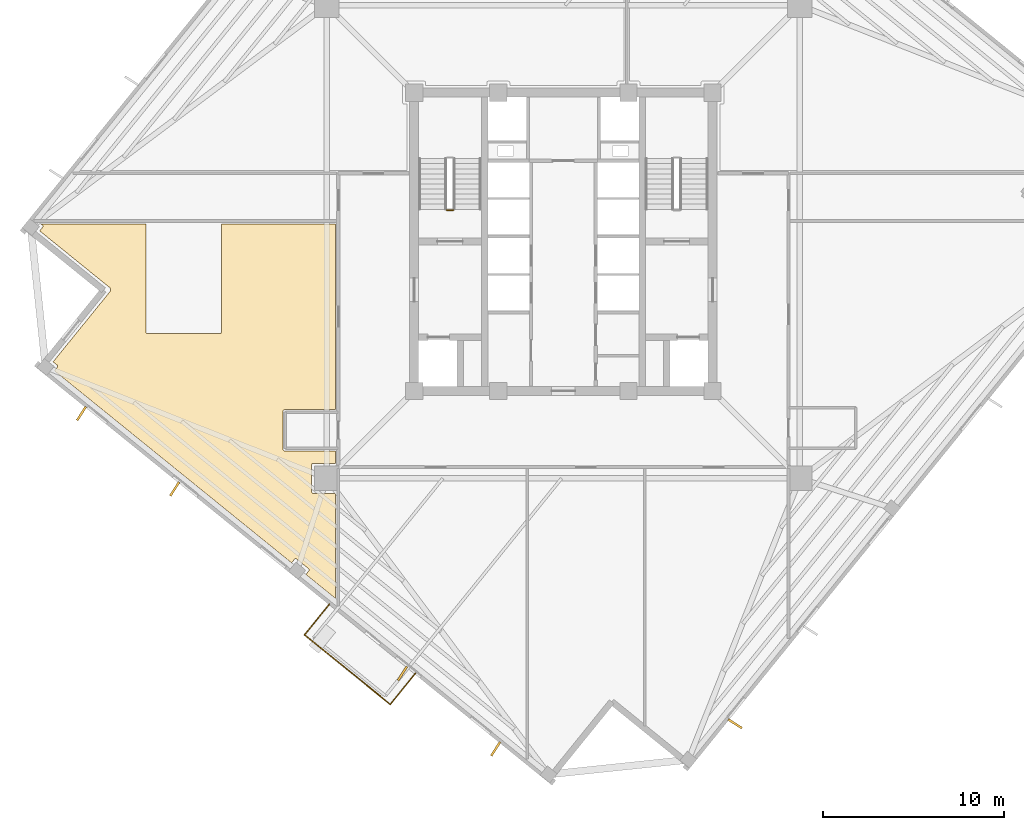
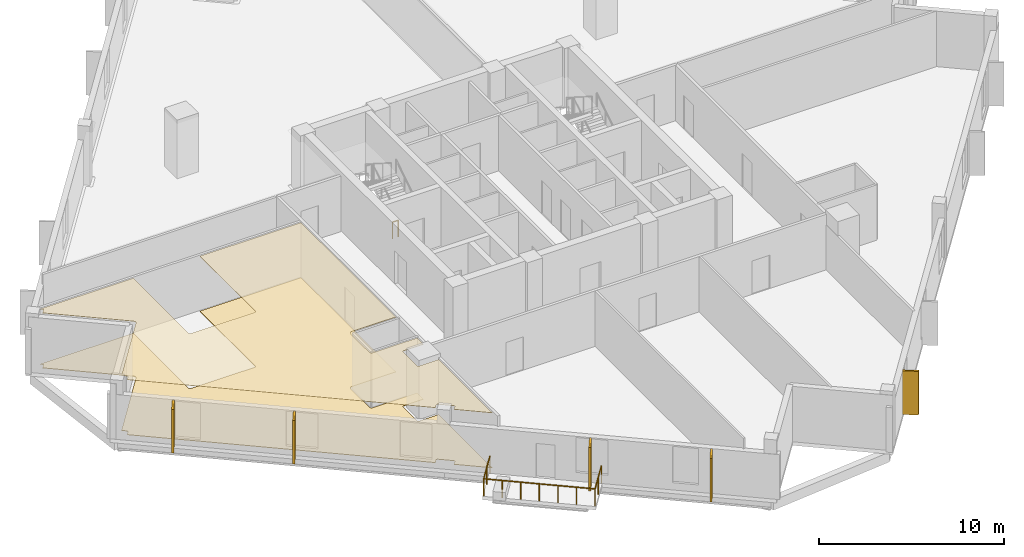
# One storey, part 7 of 10: 7 coverings, 4 railings.
"""IFC4 building model written with IfcOpenShell, lengths in metres."""

from ifc_helpers import new_model, si_unit, direction, frame, origin, origin_2d, place, context, subcontext, project, spatial, polyline, rectangle, circle, outline, extrude, source, transform, mapped, material, layer, layer_set, type_object, element, save


model = new_model("IFC4")

# Units and contexts
model_context = context("Model", 3, precision=1e-05, world=origin(), true_north=direction((0.0, 1.0)))
body_context = subcontext(model_context, "Body", "Model", "MODEL_VIEW")
ifc_project = project(units=[si_unit("LENGTHUNIT", "METRE"), si_unit("AREAUNIT", "SQUARE_METRE"), si_unit("VOLUMEUNIT", "CUBIC_METRE"), si_unit("PLANEANGLEUNIT", "RADIAN"), si_unit("MASSUNIT", "GRAM", prefix="KILO"), si_unit("THERMODYNAMICTEMPERATUREUNIT", "KELVIN")], contexts=[model_context])

# Site, building, storey
site_placement = place(None, origin())
site = spatial("IfcSite", under=ifc_project, at=site_placement, CompositionType="ELEMENT")
building_placement = place(site_placement, origin())
building = spatial("IfcBuilding", under=site, at=building_placement, Name="Kosmvard Interchange Tower", CompositionType="ELEMENT")
storey_placement = place(building_placement, frame((0.0, 0.0, 229.0)))
storey = spatial("IfcBuildingStorey", under=building, at=storey_placement, Name="L55", CompositionType="ELEMENT", Elevation=229.0)

# Coverings
ifc_material_1 = material(Name="Acoustic gypsum ceiling tile")
ifc_layer_1 = layer(ifc_material_1, 0.02490234375, Name="Acoustic gypsum ceiling tile")
ifc_layer_set_1 = layer_set([ifc_layer_1], Name="Acoustic gypsum ceiling tile")
covering_type_1 = type_object("IfcCoveringType", Name="Acoustic Perforated Suspended Ceiling 25", PredefinedType="CEILING", material=ifc_layer_set_1)
covering_1_placement = place(storey_placement, frame((0.0, 0.0, 3.635009765625)))
element("IfcCovering", 1, at=covering_1_placement, inside=storey, type_object=covering_type_1, Name="L55 Acoustic Ceiling L55-OPSW", PredefinedType="CEILING", context=body_context, shape_type="SweptSolid", body=[
    extrude(outline(polyline([(-15.388427734375, -11.56689453125), (-15.39501953125, -11.56591796875), (-15.402587890625, -11.564208984375), (-15.4091796875, -11.562744140625), (-15.416748046875, -11.560302734375), (-15.423095703125, -11.55810546875), (-15.43017578125, -11.55517578125), (-15.436279296875, -11.55224609375), (-15.443115234375, -11.548583984375), (-15.448974609375, -11.545166015625), (-15.45556640625, -11.540771484375), (-15.4609375, -11.536865234375), (-15.466796875, -11.53173828125), (-15.471923828125, -11.52734375), (-15.477294921875, -11.521728515625), (-15.48193359375, -11.516845703125), (-15.48681640625, -11.5107421875), (-15.49072265625, -11.50537109375), (-15.4951171875, -11.498779296875), (-15.49853515625, -11.4931640625), (-15.502197265625, -11.486328125), (-15.505126953125, -11.480224609375), (-15.508056640625, -11.472900390625), (-15.510498046875, -11.466796875), (-15.5126953125, -11.459228515625), (-15.514404296875, -11.45263671875), (-15.515869140625, -11.445068359375), (-15.516845703125, -11.4384765625), (-15.517578125, -11.4306640625), (-15.517822265625, -11.423828125), (-15.51806640625, -11.419921875), (-15.51806640625, -9.419921875), (-15.517822265625, -9.416015625), (-15.517578125, -9.409423828125), (-15.516845703125, -9.401611328125), (-15.515869140625, -9.39501953125), (-15.514404296875, -9.38720703125), (-15.5126953125, -9.380859375), (-15.510498046875, -9.373291015625), (-15.508056640625, -9.366943359375), (-15.505126953125, -9.35986328125), (-15.502197265625, -9.353759765625), (-15.49853515625, -9.346923828125), (-15.4951171875, -9.341064453125), (-15.49072265625, -9.33447265625), (-15.48681640625, -9.3291015625), (-15.48193359375, -9.322998046875), (-15.477294921875, -9.318115234375), (-15.471923828125, -9.312744140625), (-15.466796875, -9.30810546875), (-15.4609375, -9.30322265625), (-15.45556640625, -9.29931640625), (-15.448974609375, -9.294921875), (-15.443115234375, -9.29150390625), (-15.436279296875, -9.28759765625), (-15.43017578125, -9.284912109375), (-15.423095703125, -9.281982421875), (-15.416748046875, -9.279541015625), (-15.4091796875, -9.27734375), (-15.402587890625, -9.275634765625), (-15.39501953125, -9.274169921875), (-15.388427734375, -9.273193359375), (-15.380615234375, -9.2724609375), (-15.3740234375, -9.272216796875), (-15.3701171875, -9.27197265625), (-12.60498046875, -9.27197265625), (-12.60498046875, 0.989990234375), (-18.919921875, 0.989990234375), (-18.919921875, -5.0), (-18.92041015625, -5.0078125), (-18.921630859375, -5.015625), (-18.92333984375, -5.023193359375), (-18.926025390625, -5.030517578125), (-18.929443359375, -5.03759765625), (-18.93359375, -5.04443359375), (-18.938232421875, -5.05078125), (-18.943359375, -5.056640625), (-18.94921875, -5.061767578125), (-18.95556640625, -5.06640625), (-18.96240234375, -5.070556640625), (-18.969482421875, -5.073974609375), (-18.976806640625, -5.07666015625), (-18.984375, -5.078369140625), (-18.9921875, -5.07958984375), (-19.0, -5.080078125), (-23.0, -5.080078125), (-23.0078125, -5.07958984375), (-23.015625, -5.078369140625), (-23.023193359375, -5.07666015625), (-23.030517578125, -5.073974609375), (-23.03759765625, -5.070556640625), (-23.04443359375, -5.06640625), (-23.05078125, -5.061767578125), (-23.056640625, -5.056640625), (-23.061767578125, -5.05078125), (-23.06640625, -5.04443359375), (-23.070556640625, -5.03759765625), (-23.073974609375, -5.030517578125), (-23.07666015625, -5.023193359375), (-23.078369140625, -5.015625), (-23.07958984375, -5.0078125), (-23.080078125, -5.0), (-23.080078125, 0.989990234375), (-28.895263671875, 0.989990234375), (-28.810546875, 0.92138671875), (-28.804931640625, 0.916259765625), (-28.799560546875, 0.910400390625), (-28.794677734375, 0.904296875), (-28.790771484375, 0.8974609375), (-28.787353515625, 0.890380859375), (-28.78466796875, 0.883056640625), (-28.78271484375, 0.87548828125), (-28.781494140625, 0.86767578125), (-28.781005859375, 0.85986328125), (-28.78125, 0.85205078125), (-28.782470703125, 0.84423828125), (-28.7841796875, 0.836669921875), (-28.786865234375, 0.8291015625), (-28.790283203125, 0.822021484375), (-28.794189453125, 0.8154296875), (-28.798828125, 0.80908203125), (-28.96240234375, 0.60693359375), (-25.09228515625, -2.527099609375), (-25.089111328125, -2.52978515625), (-25.083740234375, -2.53466796875), (-25.078125, -2.5400390625), (-25.0732421875, -2.54541015625), (-25.068115234375, -2.551513671875), (-25.063720703125, -2.557373046875), (-25.059326171875, -2.56396484375), (-25.0556640625, -2.570068359375), (-25.0517578125, -2.5771484375), (-25.048583984375, -2.583740234375), (-25.045654296875, -2.591064453125), (-25.04296875, -2.597900390625), (-25.040771484375, -2.605224609375), (-25.038818359375, -2.6123046875), (-25.037353515625, -2.6201171875), (-25.0361328125, -2.62744140625), (-25.035400390625, -2.63525390625), (-25.034912109375, -2.642578125), (-25.034912109375, -2.650634765625), (-25.03515625, -2.657958984375), (-25.035888671875, -2.66552734375), (-25.036865234375, -2.6728515625), (-25.038330078125, -2.6806640625), (-25.040283203125, -2.687744140625), (-25.04248046875, -2.6953125), (-25.044921875, -2.7021484375), (-25.0478515625, -2.70947265625), (-25.051025390625, -2.71630859375), (-25.054443359375, -2.72314453125), (-25.058349609375, -2.7294921875), (-25.0625, -2.736083984375), (-25.06689453125, -2.741943359375), (-25.0693359375, -2.7451171875), (-28.218994140625, -6.634765625), (-27.99755859375, -6.81396484375), (-27.99169921875, -6.8193359375), (-27.986572265625, -6.8251953125), (-27.981689453125, -6.831298828125), (-27.9775390625, -6.838134765625), (-27.974365234375, -6.84521484375), (-27.9716796875, -6.8525390625), (-27.969482421875, -6.860107421875), (-27.968505859375, -6.867919921875), (-27.968017578125, -6.875732421875), (-27.96826171875, -6.883544921875), (-27.969482421875, -6.891357421875), (-27.97119140625, -6.89892578125), (-27.973876953125, -6.90625), (-27.97705078125, -6.91357421875), (-27.981201171875, -6.920166015625), (-27.98583984375, -6.926513671875), (-28.1494140625, -7.128662109375), (-15.03125, -17.75146484375), (-14.86767578125, -17.549560546875), (-14.8623046875, -17.543701171875), (-14.8564453125, -17.538330078125), (-14.850341796875, -17.53369140625), (-14.843505859375, -17.529541015625), (-14.83642578125, -17.526123046875), (-14.8291015625, -17.5234375), (-14.821533203125, -17.521484375), (-14.813720703125, -17.520263671875), (-14.805908203125, -17.519775390625), (-14.798095703125, -17.520263671875), (-14.790283203125, -17.521240234375), (-14.78271484375, -17.523193359375), (-14.775146484375, -17.525634765625), (-14.76806640625, -17.529052734375), (-14.761474609375, -17.532958984375), (-14.755126953125, -17.53759765625), (-14.086669921875, -18.078857421875), (-14.080810546875, -18.084228515625), (-14.075439453125, -18.08984375), (-14.07080078125, -18.09619140625), (-14.066650390625, -18.10302734375), (-14.063232421875, -18.10986328125), (-14.060546875, -18.117431640625), (-14.05859375, -18.125), (-14.057373046875, -18.1328125), (-14.05712890625, -18.140625), (-14.057373046875, -18.1484375), (-14.05859375, -18.15625), (-14.060302734375, -18.163818359375), (-14.06298828125, -18.171142578125), (-14.066162109375, -18.17822265625), (-14.0703125, -18.18505859375), (-14.074951171875, -18.19140625), (-14.238525390625, -18.3935546875), (-12.610107421875, -19.712158203125), (-12.610107421875, -13.916015625), (-13.8359375, -13.916015625), (-13.84375, -13.91552734375), (-13.8515625, -13.91455078125), (-13.859130859375, -13.91259765625), (-13.86669921875, -13.909912109375), (-13.873779296875, -13.906494140625), (-13.88037109375, -13.902587890625), (-13.88671875, -13.89794921875), (-13.892578125, -13.892578125), (-13.89794921875, -13.88671875), (-13.902587890625, -13.88037109375), (-13.906494140625, -13.873779296875), (-13.909912109375, -13.86669921875), (-13.91259765625, -13.859130859375), (-13.91455078125, -13.8515625), (-13.91552734375, -13.84375), (-13.916015625, -13.8359375), (-13.916015625, -12.325927734375), (-13.91552734375, -12.318115234375), (-13.91455078125, -12.310302734375), (-13.91259765625, -12.302734375), (-13.909912109375, -12.29541015625), (-13.906494140625, -12.288330078125), (-13.902587890625, -12.281494140625), (-13.89794921875, -12.275146484375), (-13.892578125, -12.26953125), (-13.88671875, -12.26416015625), (-13.88037109375, -12.259521484375), (-13.873779296875, -12.25537109375), (-13.86669921875, -12.252197265625), (-13.859130859375, -12.24951171875), (-13.8515625, -12.24755859375), (-13.84375, -12.246337890625), (-13.8359375, -12.24609375), (-12.610107421875, -12.24609375), (-12.610107421875, -12.10009765625), (-12.60986328125, -12.09619140625), (-12.609619140625, -12.088623046875), (-12.60888671875, -12.080810546875), (-12.607666015625, -12.07373046875), (-12.606201171875, -12.06591796875), (-12.60498046875, -12.061279296875), (-12.60498046875, -11.568115234375), (-15.3701171875, -11.568115234375), (-15.3740234375, -11.56787109375), (-15.380615234375, -11.567626953125), (-15.388427734375, -11.56689453125)])), origin(), (0.0, 0.0, 1.0), 0.02490234375),
])
ifc_material_2 = material(Name="Polished terrazzo flooring")
ifc_layer_2 = layer(ifc_material_2, 0.030029296875, Name="Polished terrazzo flooring")
ifc_layer_set_2 = layer_set([ifc_layer_2], Name="Polished terrazzo flooring")
covering_type_2 = type_object("IfcCoveringType", Name="Heavy-Duty Terrazzo & Porcelain Flooring 30", PredefinedType="FLOORING", material=ifc_layer_set_2)
covering_2_placement = place(storey_placement, origin())
element("IfcCovering", 2, at=covering_2_placement, inside=storey, type_object=covering_type_2, Name="L55 Floor Finish L55-OPSW", PredefinedType="FLOORING", context=body_context, shape_type="SweptSolid", body=[
    extrude(outline(polyline([(-15.388427734375, -11.56689453125), (-15.39501953125, -11.56591796875), (-15.402587890625, -11.564208984375), (-15.4091796875, -11.562744140625), (-15.416748046875, -11.560302734375), (-15.423095703125, -11.55810546875), (-15.43017578125, -11.55517578125), (-15.436279296875, -11.55224609375), (-15.443115234375, -11.548583984375), (-15.448974609375, -11.545166015625), (-15.45556640625, -11.540771484375), (-15.4609375, -11.536865234375), (-15.466796875, -11.53173828125), (-15.471923828125, -11.52734375), (-15.477294921875, -11.521728515625), (-15.48193359375, -11.516845703125), (-15.48681640625, -11.5107421875), (-15.49072265625, -11.50537109375), (-15.4951171875, -11.498779296875), (-15.49853515625, -11.4931640625), (-15.502197265625, -11.486328125), (-15.505126953125, -11.480224609375), (-15.508056640625, -11.472900390625), (-15.510498046875, -11.466796875), (-15.5126953125, -11.459228515625), (-15.514404296875, -11.45263671875), (-15.515869140625, -11.445068359375), (-15.516845703125, -11.4384765625), (-15.517578125, -11.4306640625), (-15.517822265625, -11.423828125), (-15.51806640625, -11.419921875), (-15.51806640625, -9.419921875), (-15.517822265625, -9.416015625), (-15.517578125, -9.409423828125), (-15.516845703125, -9.401611328125), (-15.515869140625, -9.39501953125), (-15.514404296875, -9.38720703125), (-15.5126953125, -9.380859375), (-15.510498046875, -9.373291015625), (-15.508056640625, -9.366943359375), (-15.505126953125, -9.35986328125), (-15.502197265625, -9.353759765625), (-15.49853515625, -9.346923828125), (-15.4951171875, -9.341064453125), (-15.49072265625, -9.33447265625), (-15.48681640625, -9.3291015625), (-15.48193359375, -9.322998046875), (-15.477294921875, -9.318115234375), (-15.471923828125, -9.312744140625), (-15.466796875, -9.30810546875), (-15.4609375, -9.30322265625), (-15.45556640625, -9.29931640625), (-15.448974609375, -9.294921875), (-15.443115234375, -9.29150390625), (-15.436279296875, -9.28759765625), (-15.43017578125, -9.284912109375), (-15.423095703125, -9.281982421875), (-15.416748046875, -9.279541015625), (-15.4091796875, -9.27734375), (-15.402587890625, -9.275634765625), (-15.39501953125, -9.274169921875), (-15.388427734375, -9.273193359375), (-15.380615234375, -9.2724609375), (-15.3740234375, -9.272216796875), (-15.3701171875, -9.27197265625), (-12.60498046875, -9.27197265625), (-12.60498046875, 0.989990234375), (-18.919921875, 0.989990234375), (-18.919921875, -5.0), (-18.92041015625, -5.0078125), (-18.921630859375, -5.015625), (-18.92333984375, -5.023193359375), (-18.926025390625, -5.030517578125), (-18.929443359375, -5.03759765625), (-18.93359375, -5.04443359375), (-18.938232421875, -5.05078125), (-18.943359375, -5.056640625), (-18.94921875, -5.061767578125), (-18.95556640625, -5.06640625), (-18.96240234375, -5.070556640625), (-18.969482421875, -5.073974609375), (-18.976806640625, -5.07666015625), (-18.984375, -5.078369140625), (-18.9921875, -5.07958984375), (-19.0, -5.080078125), (-23.0, -5.080078125), (-23.0078125, -5.07958984375), (-23.015625, -5.078369140625), (-23.023193359375, -5.07666015625), (-23.030517578125, -5.073974609375), (-23.03759765625, -5.070556640625), (-23.04443359375, -5.06640625), (-23.05078125, -5.061767578125), (-23.056640625, -5.056640625), (-23.061767578125, -5.05078125), (-23.06640625, -5.04443359375), (-23.070556640625, -5.03759765625), (-23.073974609375, -5.030517578125), (-23.07666015625, -5.023193359375), (-23.078369140625, -5.015625), (-23.07958984375, -5.0078125), (-23.080078125, -5.0), (-23.080078125, 0.989990234375), (-28.895263671875, 0.989990234375), (-28.810546875, 0.92138671875), (-28.804931640625, 0.916259765625), (-28.799560546875, 0.910400390625), (-28.794677734375, 0.904296875), (-28.790771484375, 0.8974609375), (-28.787353515625, 0.890380859375), (-28.78466796875, 0.883056640625), (-28.78271484375, 0.87548828125), (-28.781494140625, 0.86767578125), (-28.781005859375, 0.85986328125), (-28.78125, 0.85205078125), (-28.782470703125, 0.84423828125), (-28.7841796875, 0.836669921875), (-28.786865234375, 0.8291015625), (-28.790283203125, 0.822021484375), (-28.794189453125, 0.8154296875), (-28.798828125, 0.80908203125), (-28.96240234375, 0.60693359375), (-25.09228515625, -2.527099609375), (-25.089111328125, -2.52978515625), (-25.083740234375, -2.53466796875), (-25.078125, -2.5400390625), (-25.0732421875, -2.54541015625), (-25.068115234375, -2.551513671875), (-25.063720703125, -2.557373046875), (-25.059326171875, -2.56396484375), (-25.0556640625, -2.570068359375), (-25.0517578125, -2.5771484375), (-25.048583984375, -2.583740234375), (-25.045654296875, -2.591064453125), (-25.04296875, -2.597900390625), (-25.040771484375, -2.605224609375), (-25.038818359375, -2.6123046875), (-25.037353515625, -2.6201171875), (-25.0361328125, -2.62744140625), (-25.035400390625, -2.63525390625), (-25.034912109375, -2.642578125), (-25.034912109375, -2.650634765625), (-25.03515625, -2.657958984375), (-25.035888671875, -2.66552734375), (-25.036865234375, -2.6728515625), (-25.038330078125, -2.6806640625), (-25.040283203125, -2.687744140625), (-25.04248046875, -2.6953125), (-25.044921875, -2.7021484375), (-25.0478515625, -2.70947265625), (-25.051025390625, -2.71630859375), (-25.054443359375, -2.72314453125), (-25.058349609375, -2.7294921875), (-25.0625, -2.736083984375), (-25.06689453125, -2.741943359375), (-25.0693359375, -2.7451171875), (-28.218994140625, -6.634765625), (-27.99755859375, -6.81396484375), (-27.99169921875, -6.8193359375), (-27.986572265625, -6.8251953125), (-27.981689453125, -6.831298828125), (-27.9775390625, -6.838134765625), (-27.974365234375, -6.84521484375), (-27.9716796875, -6.8525390625), (-27.969482421875, -6.860107421875), (-27.968505859375, -6.867919921875), (-27.968017578125, -6.875732421875), (-27.96826171875, -6.883544921875), (-27.969482421875, -6.891357421875), (-27.97119140625, -6.89892578125), (-27.973876953125, -6.90625), (-27.97705078125, -6.91357421875), (-27.981201171875, -6.920166015625), (-27.98583984375, -6.926513671875), (-28.1494140625, -7.128662109375), (-15.03125, -17.75146484375), (-14.86767578125, -17.549560546875), (-14.8623046875, -17.543701171875), (-14.8564453125, -17.538330078125), (-14.850341796875, -17.53369140625), (-14.843505859375, -17.529541015625), (-14.83642578125, -17.526123046875), (-14.8291015625, -17.5234375), (-14.821533203125, -17.521484375), (-14.813720703125, -17.520263671875), (-14.805908203125, -17.519775390625), (-14.798095703125, -17.520263671875), (-14.790283203125, -17.521240234375), (-14.78271484375, -17.523193359375), (-14.775146484375, -17.525634765625), (-14.76806640625, -17.529052734375), (-14.761474609375, -17.532958984375), (-14.755126953125, -17.53759765625), (-14.086669921875, -18.078857421875), (-14.080810546875, -18.084228515625), (-14.075439453125, -18.08984375), (-14.07080078125, -18.09619140625), (-14.066650390625, -18.10302734375), (-14.063232421875, -18.10986328125), (-14.060546875, -18.117431640625), (-14.05859375, -18.125), (-14.057373046875, -18.1328125), (-14.05712890625, -18.140625), (-14.057373046875, -18.1484375), (-14.05859375, -18.15625), (-14.060302734375, -18.163818359375), (-14.06298828125, -18.171142578125), (-14.066162109375, -18.17822265625), (-14.0703125, -18.18505859375), (-14.074951171875, -18.19140625), (-14.238525390625, -18.3935546875), (-12.610107421875, -19.712158203125), (-12.610107421875, -13.916015625), (-13.8359375, -13.916015625), (-13.84375, -13.91552734375), (-13.8515625, -13.91455078125), (-13.859130859375, -13.91259765625), (-13.86669921875, -13.909912109375), (-13.873779296875, -13.906494140625), (-13.88037109375, -13.902587890625), (-13.88671875, -13.89794921875), (-13.892578125, -13.892578125), (-13.89794921875, -13.88671875), (-13.902587890625, -13.88037109375), (-13.906494140625, -13.873779296875), (-13.909912109375, -13.86669921875), (-13.91259765625, -13.859130859375), (-13.91455078125, -13.8515625), (-13.91552734375, -13.84375), (-13.916015625, -13.8359375), (-13.916015625, -12.325927734375), (-13.91552734375, -12.318115234375), (-13.91455078125, -12.310302734375), (-13.91259765625, -12.302734375), (-13.909912109375, -12.29541015625), (-13.906494140625, -12.288330078125), (-13.902587890625, -12.281494140625), (-13.89794921875, -12.275146484375), (-13.892578125, -12.26953125), (-13.88671875, -12.26416015625), (-13.88037109375, -12.259521484375), (-13.873779296875, -12.25537109375), (-13.86669921875, -12.252197265625), (-13.859130859375, -12.24951171875), (-13.8515625, -12.24755859375), (-13.84375, -12.246337890625), (-13.8359375, -12.24609375), (-12.610107421875, -12.24609375), (-12.610107421875, -12.10009765625), (-12.60986328125, -12.09619140625), (-12.609619140625, -12.088623046875), (-12.60888671875, -12.080810546875), (-12.607666015625, -12.07373046875), (-12.606201171875, -12.06591796875), (-12.60498046875, -12.061279296875), (-12.60498046875, -11.568115234375), (-15.3701171875, -11.568115234375), (-15.3740234375, -11.56787109375), (-15.380615234375, -11.567626953125), (-15.388427734375, -11.56689453125)])), origin(), (0.0, 0.0, 1.0), 0.030029296875),
])
ifc_material_3 = material(Name="Architectural anodised aluminium", Category="aluminium")
ifc_layer_3 = layer(ifc_material_3, 0.1201171875, Name="Architectural anodised aluminium")
ifc_layer_set_3 = layer_set([ifc_layer_3], Name="Architectural anodised aluminium")
covering_type_3 = type_object("IfcCoveringType", Name="Rotating Vertical Sun-Breaker Fin 900x120 Aluminium", PredefinedType="CLADDING", material=ifc_layer_set_3)
shared_shape_1 = source(origin(), body_context, "Body", "SweptSolid", [
    extrude(rectangle(XDim=0.89990234375, YDim=0.1201171875, at=origin_2d()), origin(), (0.0, 0.0, 1.0), 2.8798828125),
])
for number, where, z_axis, x_axis, name in (
    (3, (9.494384765625, -26.650146484375, 0.0400390625), (0.0, 0.0, 1.0), (0.843766346142, -0.536710679153, 0.0), "L55 Rotating Vertical Sun-Breaker Fin 01"),
    (4, (-26.650146484375, -9.494384765625, 0.0400390625), (0.0, 0.0, 1.0), (-0.536710679153, -0.843766346142, 0.0), "L55 Rotating Vertical Sun-Breaker Fin 13"),
    (5, (-21.49658203125, -13.66748046875, 0.0400390625), (0.0, 0.0, 1.0), (-0.536710679153, -0.843766346142, 0.0), "L55 Rotating Vertical Sun-Breaker Fin 14"),
    (6, (-8.8994140625, -23.86865234375, 0.0400390625), (0.0, 0.0, 1.0), (-0.536710679153, -0.843766346142, 0.0), "L55 Rotating Vertical Sun-Breaker Fin 15"),
    (7, (-3.74609375, -28.041748046875, 0.0400390625), (0.0, 0.0, 1.0), (-0.536710679153, -0.843766346142, 0.0), "L55 Rotating Vertical Sun-Breaker Fin 16"),
):
    element("IfcCovering", number, at=place(storey_placement, frame(where, z_axis=z_axis, x_axis=x_axis)), inside=storey, type_object=covering_type_3, Name=name, PredefinedType="CLADDING", context=body_context, shape_type="MappedRepresentation", body=[
        mapped(shared_shape_1, transform((0.0, 0.0, 0.0), scale=1.0)),
    ])

# Railings
ifc_material_4 = material(Name="Steel S355", Category="steel")
railing_type_1 = type_object("IfcRailingType", Name="Observation & Balcony Glass-Infill Balustrade 1150", PredefinedType="BALUSTRADE", material=ifc_material_4)
shared_shape_2 = source(origin(), body_context, "Body", "SweptSolid", [
    extrude(circle(Radius=0.02392578125, at=origin_2d()), frame((0.0, 0.0, 1.1259765625), z_axis=(0.629325914736, 0.777141488432, 0.0), x_axis=(-0.777141488432, 0.629325914736, 0.0)), (0.0, 0.0, 1.0), 2.199951171875),
    extrude(circle(Radius=0.02099609375, at=origin_2d()), origin(), (0.0, 0.0, 1.0), 1.101806640625),
    extrude(circle(Radius=0.02099609375, at=origin_2d()), frame((0.6923828125, 0.85498046875, 0.0)), (0.0, 0.0, 1.0), 1.101806640625),
    extrude(circle(Radius=0.02099609375, at=origin_2d()), frame((1.384521484375, 1.709716796875, 0.0)), (0.0, 0.0, 1.0), 1.101806640625),
])
railing_1_placement = place(storey_placement, frame((-9.5771484375, -25.57177734375, 0.0)))
element("IfcRailing", 8, at=railing_1_placement, inside=storey, type_object=railing_type_1, Name="L55 Outdoor Terrace Guard BAL-L55-W-C", PredefinedType="BALUSTRADE", context=body_context, shape_type="MappedRepresentation", body=[
    mapped(shared_shape_2, transform((0.0, 0.0, 0.0), scale=1.0)),
])
shared_shape_3 = source(origin(), body_context, "Body", "SweptSolid", [
    extrude(circle(Radius=0.02392578125, at=origin_2d()), frame((0.0, 0.0, 1.1259765625), z_axis=(-0.629325914736, -0.777141488432, 0.0), x_axis=(0.777141488432, -0.629325914736, 0.0)), (0.0, 0.0, 1.0), 2.199951171875),
    extrude(circle(Radius=0.02099609375, at=origin_2d()), origin(), (0.0, 0.0, 1.0), 1.101806640625),
    extrude(circle(Radius=0.02099609375, at=origin_2d()), frame((-0.6923828125, -0.85498046875, 0.0)), (0.0, 0.0, 1.0), 1.101806640625),
    extrude(circle(Radius=0.02099609375, at=origin_2d()), frame((-1.384521484375, -1.709716796875, 0.0)), (0.0, 0.0, 1.0), 1.101806640625),
])
railing_2_placement = place(storey_placement, frame((-12.93310546875, -20.023193359375, 0.0)))
element("IfcRailing", 9, at=railing_2_placement, inside=storey, type_object=railing_type_1, Name="L55 Outdoor Terrace Guard BAL-L55-W-A", PredefinedType="BALUSTRADE", context=body_context, shape_type="MappedRepresentation", body=[
    mapped(shared_shape_3, transform((0.0, 0.0, 0.0), scale=1.0)),
])
shared_shape_4 = source(origin(), body_context, "Body", "SweptSolid", [
    extrude(circle(Radius=0.02392578125, at=origin_2d()), frame((0.0, 0.0, 1.1259765625), z_axis=(0.777137673017, -0.629330626282, 0.0), x_axis=(0.629330626282, 0.777137673017, 0.0)), (0.0, 0.0, 1.0), 6.099853515625),
    extrude(circle(Radius=0.02099609375, at=origin_2d()), origin(), (0.0, 0.0, 1.0), 1.101806640625),
    extrude(circle(Radius=0.02099609375, at=origin_2d()), frame((0.7900390625, -0.639892578125, 0.0)), (0.0, 0.0, 1.0), 1.101806640625),
    extrude(circle(Radius=0.02099609375, at=origin_2d()), frame((1.580078125, -1.279541015625, 0.0)), (0.0, 0.0, 1.0), 1.101806640625),
    extrude(circle(Radius=0.02099609375, at=origin_2d()), frame((2.3701171875, -1.91943359375, 0.0)), (0.0, 0.0, 1.0), 1.101806640625),
    extrude(circle(Radius=0.02099609375, at=origin_2d()), frame((3.160400390625, -2.559326171875, 0.0)), (0.0, 0.0, 1.0), 1.101806640625),
    extrude(circle(Radius=0.02099609375, at=origin_2d()), frame((3.950439453125, -3.198974609375, 0.0)), (0.0, 0.0, 1.0), 1.101806640625),
    extrude(circle(Radius=0.02099609375, at=origin_2d()), frame((4.740478515625, -3.8388671875, 0.0)), (0.0, 0.0, 1.0), 1.101806640625),
])
railing_3_placement = place(storey_placement, frame((-14.317626953125, -21.73291015625, 0.0)))
element("IfcRailing", 10, at=railing_3_placement, inside=storey, type_object=railing_type_1, Name="L55 Outdoor Terrace Guard BAL-L55-W-B", PredefinedType="BALUSTRADE", context=body_context, shape_type="MappedRepresentation", body=[
    mapped(shared_shape_4, transform((0.0, 0.0, 0.0), scale=1.0)),
])
railing_type_2 = type_object("IfcRailingType", Name="Stair & Terrace Safety Guardrail 1100 Steel", PredefinedType="GUARDRAIL", material=ifc_material_4)
shared_shape_5 = source(origin(), body_context, "Body", "SweptSolid", [
    extrude(circle(Radius=0.02392578125, at=origin_2d()), frame((0.0, 0.0, 1.076171875), z_axis=(-1.0, 0.0, 0.0), x_axis=(0.0, -1.0, 0.0)), (0.0, 0.0, 1.0), 0.35986328125),
    extrude(circle(Radius=0.02099609375, at=origin_2d()), origin(), (0.0, 0.0, 1.0), 1.052001953125),
    extrude(circle(Radius=0.02099609375, at=origin_2d()), frame((-0.35986328125, 0.0, 0.0)), (0.0, 0.0, 1.0), 1.052001953125),
])
railing_4_placement = place(storey_placement, frame((-6.090087890625, 1.75, 0.0)))
element("IfcRailing", 11, at=railing_4_placement, inside=storey, type_object=railing_type_2, Name="L55 ST-1 stair guard 4", PredefinedType="GUARDRAIL", context=body_context, shape_type="MappedRepresentation", body=[
    mapped(shared_shape_5, transform((0.0, 0.0, 0.0), scale=1.0)),
])

save(model, "model.ifc")
